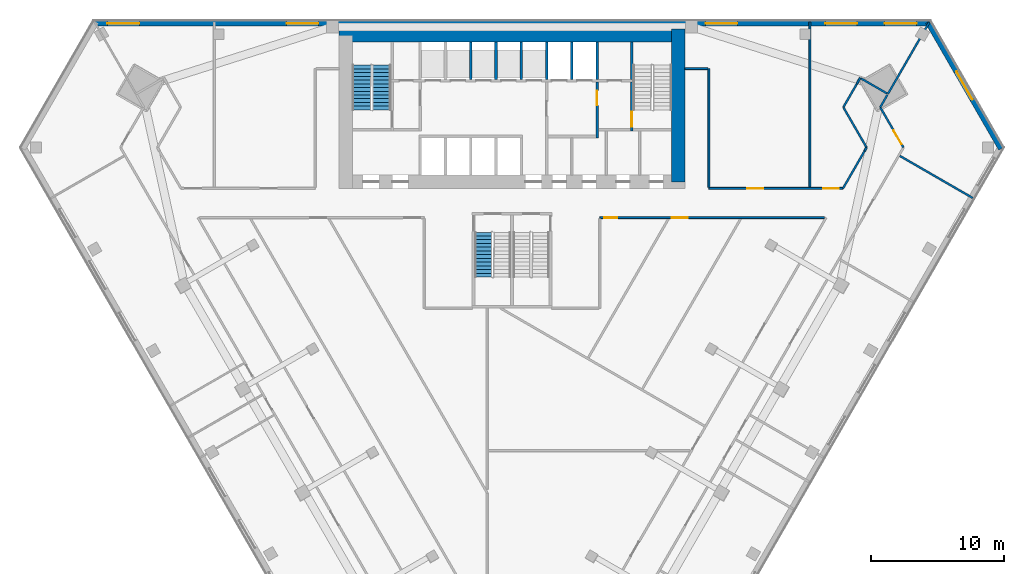
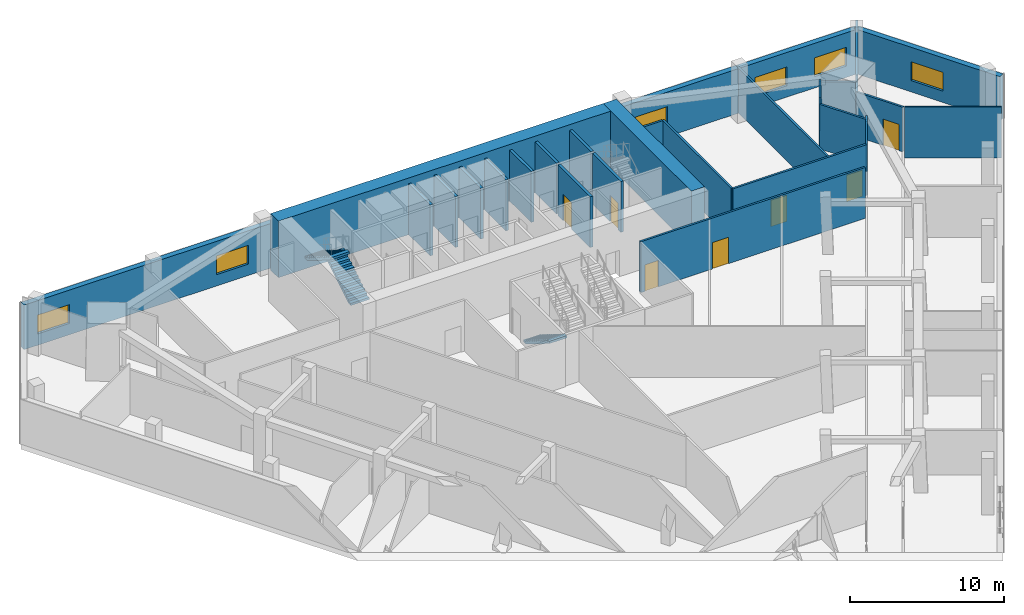
# One storey, part 6 of 9: 28 walls, 7 doors, 6 windows, 3 stair flights, 13 openings, 2 elements without a shape of their own.
"""IFC4 building model written with IfcOpenShell, lengths in metres."""

import ifcopenshell
import ifcopenshell.guid

model = None  # the IFC model being written
_history = None  # IfcOwnerHistory: only IFC2X3 demands one
_inside = {}  # id of a spatial element -> (the spatial element, [elements in it])
_under = {}  # id of a project, library or spatial element -> (it, [spatial elements below it])
_declared = {}  # id of a project -> (the project, [libraries it declares])
_typed = {}  # id of a type object -> (the type object, [elements of that type])
_made_of = {}  # id of a material, layer set ... -> (it, [elements and type objects made of it])


def new_model(schema):
    """Start an empty IFC model of exactly this schema.

    Asked for "IFC4X3", IfcOpenShell would pick the latest addendum, in which some entities
    have other attributes; the version numbers below select the first issue.
    IFC2X3 requires an IfcOwnerHistory on every rooted entity: one is made here for all.
    """
    global model, _history
    if schema == "IFC4X3":
        model = ifcopenshell.file(schema_version=(4, 3, 0, 0))
    else:
        model = ifcopenshell.file(schema=schema)
    _inside.clear()
    _under.clear()
    _declared.clear()
    _typed.clear()
    _made_of.clear()
    _history = None
    if model.schema == "IFC2X3":
        org = make("IfcOrganization", Name="unknown")
        user = make(
            "IfcPersonAndOrganization",
            ThePerson=make("IfcPerson", FamilyName="unknown"),
            TheOrganization=org,
        )
        app = make(
            "IfcApplication",
            ApplicationDeveloper=org,
            Version="unknown",
            ApplicationFullName="unknown",
            ApplicationIdentifier="unknown",
        )
        _history = make(
            "IfcOwnerHistory",
            OwningUser=user,
            OwningApplication=app,
            ChangeAction="ADDED",
            CreationDate=0,
        )
    return model


def make(cls, **values):
    """One entity of the class cls with the attributes given. An attribute that is None is left unset."""
    return model.create_entity(
        cls, **{name: value for name, value in values.items() if value is not None}
    )


def rooted(cls, **values):
    """An entity with a GlobalId (a new one), such as an element, a storey or a relation."""
    return make(cls, GlobalId=ifcopenshell.guid.new(), OwnerHistory=_history, **values)


def si_unit(unit_type, name, prefix=None):
    """IfcSIUnit, for example si_unit("LENGTHUNIT", "METRE", prefix="MILLI")."""
    return make("IfcSIUnit", UnitType=unit_type, Prefix=prefix, Name=name)


def assignment(units):
    """IfcUnitAssignment: the units of a project."""
    return None if units is None else make("IfcUnitAssignment", Units=units)


def point(xyz):
    """IfcCartesianPoint."""
    return None if xyz is None else make("IfcCartesianPoint", Coordinates=xyz)


def direction(xyz):
    """IfcDirection."""
    return None if xyz is None else make("IfcDirection", DirectionRatios=xyz)


def frame(location, z_axis=None, x_axis=None):
    """IfcAxis2Placement3D, a coordinate frame: its origin and axes. An axis left out is left unset."""
    return make(
        "IfcAxis2Placement3D",
        Location=point(location),
        Axis=direction(z_axis),
        RefDirection=direction(x_axis),
    )


def frame_2d(location, x_axis=None):
    """IfcAxis2Placement2D, a coordinate frame in the plane: its origin and x axis."""
    return make(
        "IfcAxis2Placement2D", Location=point(location), RefDirection=direction(x_axis)
    )


def origin():
    """The frame at (0, 0, 0) with its axes left unset."""
    return frame((0.0, 0.0, 0.0))


def place(relative_to, where):
    """IfcLocalPlacement: puts the frame where relative to a parent placement (None: the world)."""
    return make(
        "IfcLocalPlacement", PlacementRelTo=relative_to, RelativePlacement=where
    )


def context(
    kind, dimensions, precision=None, world=None, true_north=None, identifier=None
):
    """IfcGeometricRepresentationContext, for example the 3D "Model" context."""
    return make(
        "IfcGeometricRepresentationContext",
        ContextIdentifier=identifier,
        ContextType=kind,
        CoordinateSpaceDimension=dimensions,
        Precision=precision,
        WorldCoordinateSystem=world,
        TrueNorth=true_north,
    )


def subcontext(parent, identifier, kind, view, scale=None):
    """IfcGeometricRepresentationSubContext, for example "Body" below "Model"."""
    return make(
        "IfcGeometricRepresentationSubContext",
        ContextIdentifier=identifier,
        ContextType=kind,
        ParentContext=parent,
        TargetScale=scale,
        TargetView=view,
    )


def project(units=None, contexts=None):
    """IfcProject with its units and contexts."""
    return rooted(
        "IfcProject",
        Name="project",
        RepresentationContexts=contexts,
        UnitsInContext=assignment(units),
    )


def spatial(cls, under=None, at=None, **own):
    """A site, building, storey or space (cls), placed at a placement, below another one or the project."""
    s = rooted(cls, ObjectPlacement=at, **own)
    if under is not None:
        _under.setdefault(under.id(), (under, []))[1].append(s)
    return s


def polyline(points):
    """IfcPolyline through the points."""
    return make("IfcPolyline", Points=[point(p) for p in points])


def profile(cls, at=None, kind="AREA", **sizes):
    """A parametric profile (cls). Its sizes go by their IFC names, for example OverallWidth=200.0."""
    return make(cls, ProfileType=kind, Position=at, **sizes)


def rectangle(**sizes):
    """IfcRectangleProfileDef."""
    return profile("IfcRectangleProfileDef", **sizes)


def outline(outer, holes=None, kind="AREA"):
    """IfcArbitraryClosedProfileDef: a profile drawn as a closed curve; with holes, ...WithVoids."""
    if holes is None:
        return make("IfcArbitraryClosedProfileDef", ProfileType=kind, OuterCurve=outer)
    return make(
        "IfcArbitraryProfileDefWithVoids",
        ProfileType=kind,
        OuterCurve=outer,
        InnerCurves=holes,
    )


def extrude(swept, where, along, depth):
    """IfcExtrudedAreaSolid: the profile swept, set in the frame where, extruded along a direction by depth."""
    return make(
        "IfcExtrudedAreaSolid",
        SweptArea=swept,
        Position=where,
        ExtrudedDirection=direction(along),
        Depth=depth,
    )


def shape(context_of_items, identifier, shape_type, items):
    """IfcShapeRepresentation: the items that make up one representation, for example the "Body"."""
    return make(
        "IfcShapeRepresentation",
        ContextOfItems=context_of_items,
        RepresentationIdentifier=identifier,
        RepresentationType=shape_type,
        Items=items,
    )


def material(Name=None, Category=None):
    """IfcMaterial."""
    return make("IfcMaterial", Name=Name, Category=Category)


def layer(
    of_material, thickness, ventilated=None, Name=None, Category=None, Priority=None
):
    """IfcMaterialLayer: one layer of a wall or slab, of a material (None: an air gap)."""
    return make(
        "IfcMaterialLayer",
        Material=of_material,
        LayerThickness=thickness,
        IsVentilated=ventilated,
        Name=Name,
        Category=Category,
        Priority=Priority,
    )


def layer_set(layers, Name=None):
    """IfcMaterialLayerSet."""
    return make("IfcMaterialLayerSet", MaterialLayers=layers, LayerSetName=Name)


def made_of(thing, what):
    """Note that an element or type object is made of a material, layer set ...; save() writes the relation."""
    if what is not None:
        _made_of.setdefault(what.id(), (what, []))[1].append(thing)
    return thing


def type_object(cls, material=None, **own):
    """A type object (cls), such as IfcWallType, which elements share."""
    return made_of(rooted(cls, **own), material)


def element(
    cls,
    number,
    at=None,
    inside=None,
    cuts=None,
    type_object=None,
    material=None,
    context=None,
    identifier="Body",
    shape_type=None,
    held_by="IfcProductDefinitionShape",
    body=None,
    shapes=None,
    **own,
):
    """One element of the class cls, such as IfcWall. Its Tag is "e" and its number.

    at: its placement. inside: the storey or other place that contains it. cuts: it is an
    opening in that element (IfcRelVoidsElement). A single representation is given by context,
    identifier, shape_type and body (its items); several are given by shapes. held_by: the class
    of the entity that holds the representations. save() writes the other relations.
    """
    e = rooted(cls, Tag="e%d" % number, ObjectPlacement=at, **own)
    if body is not None:
        shapes = [shape(context, identifier, shape_type, body)]
    if shapes is not None:
        e.Representation = make(held_by, Representations=shapes)
    if inside is not None:
        _inside.setdefault(inside.id(), (inside, []))[1].append(e)
    if cuts is not None:
        rooted(
            "IfcRelVoidsElement", RelatingBuildingElement=cuts, RelatedOpeningElement=e
        )
    if type_object is not None:
        _typed.setdefault(type_object.id(), (type_object, []))[1].append(e)
    return made_of(e, material)


def fill(opening, filler):
    """IfcRelFillsElement: the door or window that sits in an opening."""
    return rooted(
        "IfcRelFillsElement",
        RelatingOpeningElement=opening,
        RelatedBuildingElement=filler,
    )


def aggregate(whole, parts):
    """IfcRelAggregates: a whole, such as a stair, and the parts it consists of."""
    return rooted("IfcRelAggregates", RelatingObject=whole, RelatedObjects=parts)


def save(model, path):
    """Write the relations noted so far, then the file.

    IfcRelAggregates (storeys below a building ...), IfcRelContainedInSpatialStructure (elements
    in a storey), IfcRelDefinesByType, IfcRelAssociatesMaterial and IfcRelDeclares: one each for
    every whole, place, type object, material and project.
    """
    for whole, parts in _under.values():
        aggregate(whole, parts)
    for where, things in _inside.values():
        rooted(
            "IfcRelContainedInSpatialStructure",
            RelatedElements=things,
            RelatingStructure=where,
        )
    for kind, things in _typed.values():
        rooted("IfcRelDefinesByType", RelatedObjects=things, RelatingType=kind)
    for what, things in _made_of.values():
        rooted("IfcRelAssociatesMaterial", RelatedObjects=things, RelatingMaterial=what)
    for by, libraries in _declared.values():
        rooted("IfcRelDeclares", RelatingContext=by, RelatedDefinitions=libraries)
    model.write(path)


model = new_model("IFC4")

# Units and contexts
model_context = context("Model", 3, precision=1e-05, world=origin(), true_north=direction((0.0, 1.0)))
body_context = subcontext(model_context, "Body", "Model", "MODEL_VIEW")
ifc_project = project(units=[si_unit("LENGTHUNIT", "METRE"), si_unit("AREAUNIT", "SQUARE_METRE"), si_unit("VOLUMEUNIT", "CUBIC_METRE"), si_unit("PLANEANGLEUNIT", "RADIAN"), si_unit("MASSUNIT", "GRAM", prefix="KILO")], contexts=[model_context])

# Site, building, storey
site_placement = place(None, origin())
site = spatial("IfcSite", under=ifc_project, at=site_placement, CompositionType="ELEMENT")
building_placement = place(site_placement, origin())
building = spatial("IfcBuilding", under=site, at=building_placement, Name="Altiplano Prism Tower", CompositionType="ELEMENT")
storey_placement = place(building_placement, frame((0.0, 0.0, 18.0)))
storey = spatial("IfcBuildingStorey", under=building, at=storey_placement, Name="L03", CompositionType="ELEMENT", Elevation=18.0)

# Walls
ifc_material_1 = material(Name="Concrete C70/85", Category="concrete")
ifc_layer_1 = layer(ifc_material_1, 1.0)
ifc_layer_set_1 = layer_set([ifc_layer_1], Name="Concrete C70/85")
wall_type_1 = type_object("IfcWallType", Name="Core wall 1000", PredefinedType="SHEAR", material=ifc_layer_set_1)
wall_1_placement = place(storey_placement, frame((97.5, 92.89990234375, 0.0), z_axis=(0.0, 0.0, 1.0), x_axis=(0.0, 1.0, 0.0)))
element("IfcWall", 1, at=wall_1_placement, inside=storey, type_object=wall_type_1, Name="Core wall E L03", PredefinedType="SHEAR", context=body_context, shape_type="SweptSolid", body=[
    extrude(rectangle(XDim=11.5, YDim=1.0, at=frame_2d((5.75, 0.0))), origin(), (0.0, 0.0, 1.0), 4.5),
])
wall_2_placement = place(storey_placement, frame((97.5, 103.89990234375, 0.0), z_axis=(0.0, 0.0, 1.0), x_axis=(-1.0, 0.0, 0.0)))
element("IfcWall", 2, at=wall_2_placement, inside=storey, type_object=wall_type_1, Name="Core wall N L03", PredefinedType="SHEAR", context=body_context, shape_type="SweptSolid", body=[
    extrude(rectangle(XDim=25.5, YDim=1.0, at=frame_2d((12.75, 0.0))), origin(), (0.0, 0.0, 1.0), 4.5),
])

# Wall, opening, door
ifc_material_2 = material(Name="Plasterboard on steel stud", Category="steel")
ifc_layer_2 = layer(ifc_material_2, 0.14990234375)
ifc_layer_set_2 = layer_set([ifc_layer_2], Name="Plasterboard on steel stud")
wall_type_2 = type_object("IfcWallType", Name="Partition 150 corridor", PredefinedType="PARTITIONING", material=ifc_layer_set_2)
wall_3_placement = place(storey_placement, frame((114.4296875, 95.4736328125, 0.0), z_axis=(0.0, 0.0, 1.0), x_axis=(-0.500008701212, 0.866020380079, 0.0)))
wall_3 = element("IfcWall", 3, at=wall_3_placement, inside=storey, type_object=wall_type_2, Name="Partition P06 L03 006", PredefinedType="PARTITIONING", context=body_context, shape_type="SweptSolid", body=[
    extrude(rectangle(XDim=3.49462890625, YDim=0.14990234375, at=frame_2d((1.747314453125, 0.0))), origin(), (0.0, 0.0, 1.0), 3.550048828125),
])
opening_1_placement = place(wall_3_placement, frame((0.284912109375, 0.0, 0.0)))
opening_1 = element("IfcOpeningElement", 4, at=opening_1_placement, cuts=wall_3, Name="Opening D0097", PredefinedType="OPENING", context=body_context, shape_type="SweptSolid", body=[
    extrude(rectangle(XDim=1.199951171875, YDim=2.10009765625, at=frame_2d((0.60009765625, 1.050048828125))), frame((0.0, 0.08544921875, 0.0), z_axis=(0.0, -1.0, 0.0), x_axis=(1.0, 0.0, 0.0)), (0.0, 0.0, 1.0), 0.1708984375),
])
ifc_material_3 = material(Name="Timber", Category="wood")
door_type_1 = type_object("IfcDoorType", Name="Shared room door 1200 x 2100", OperationType="NOTDEFINED", PredefinedType="NOTDEFINED", material=ifc_material_3)
door_1_placement = place(opening_1_placement, origin())
door_1 = element("IfcDoor", 5, at=door_1_placement, inside=storey, type_object=door_type_1, Name="Door D0097", OperationType="SINGLE_SWING_LEFT", OverallHeight=2.10009765625, OverallWidth=1.199951171875, PredefinedType="NOTDEFINED", context=body_context, shape_type="SweptSolid", body=[
    extrude(rectangle(XDim=1.199951171875, YDim=2.10009765625, at=frame_2d((0.60009765625, 1.050048828125))), frame((0.0, 0.02490234375, 0.0), z_axis=(0.0, -1.0, 0.0), x_axis=(1.0, 0.0, 0.0)), (0.0, 0.0, 1.0), 0.050048828125),
])
fill(opening_1, door_1)

# Wall
wall_4_placement = place(storey_placement, frame((112.682373046875, 98.5, 0.0), z_axis=(0.0, 0.0, 1.0), x_axis=(0.500172206961, 0.865925957218, 0.0)))
element("IfcWall", 6, at=wall_4_placement, inside=storey, type_object=wall_type_2, Name="Partition P06 L03 007", PredefinedType="PARTITIONING", context=body_context, shape_type="SweptSolid", body=[
    extrude(rectangle(XDim=1.08056640625, YDim=0.14990234375, at=frame_2d((0.540283203125, 0.0))), origin(), (0.0, 0.0, 1.0), 3.550048828125),
])

# Wall, openings, doors
wall_5_placement = place(storey_placement, frame((109.88330078125, 92.40087890625, 0.0), z_axis=(0.0, 0.0, 1.0), x_axis=(-1.0, 0.0, 0.0)))
wall_5 = element("IfcWall", 7, at=wall_5_placement, inside=storey, type_object=wall_type_2, Name="Partition P06 L03 010", PredefinedType="PARTITIONING", context=body_context, shape_type="SweptSolid", body=[
    extrude(rectangle(XDim=10.082275390625, YDim=0.14990234375, at=frame_2d((5.041015625, 0.0))), origin(), (0.0, 0.0, 1.0), 4.050048828125),
])
opening_2_placement = place(wall_5_placement, frame((5.987060546875, 0.0, 0.0)))
opening_2 = element("IfcOpeningElement", 8, at=opening_2_placement, cuts=wall_5, Name="Opening D0102", PredefinedType="OPENING", context=body_context, shape_type="SweptSolid", body=[
    extrude(rectangle(XDim=1.199951171875, YDim=2.10009765625, at=frame_2d((0.60009765625, 1.050048828125))), frame((0.0, 0.08544921875, 0.0), z_axis=(0.0, -1.0, 0.0), x_axis=(1.0, 0.0, 0.0)), (0.0, 0.0, 1.0), 0.1708984375),
])
opening_3_placement = place(wall_5_placement, frame((0.302978515625, 0.0, 0.0)))
opening_3 = element("IfcOpeningElement", 9, at=opening_3_placement, cuts=wall_5, Name="Opening D0108", PredefinedType="OPENING", context=body_context, shape_type="SweptSolid", body=[
    extrude(rectangle(XDim=1.199951171875, YDim=2.10009765625, at=frame_2d((0.60009765625, 1.050048828125))), frame((0.0, 0.08544921875, 0.0), z_axis=(0.0, -1.0, 0.0), x_axis=(1.0, 0.0, 0.0)), (0.0, 0.0, 1.0), 0.1708984375),
])
door_2_placement = place(opening_2_placement, origin())
door_2 = element("IfcDoor", 10, at=door_2_placement, inside=storey, type_object=door_type_1, Name="Door D0102", OperationType="SINGLE_SWING_RIGHT", OverallHeight=2.10009765625, OverallWidth=1.199951171875, PredefinedType="NOTDEFINED", context=body_context, shape_type="SweptSolid", body=[
    extrude(rectangle(XDim=1.199951171875, YDim=2.10009765625, at=frame_2d((0.60009765625, 1.050048828125))), frame((0.0, 0.02490234375, 0.0), z_axis=(0.0, -1.0, 0.0), x_axis=(1.0, 0.0, 0.0)), (0.0, 0.0, 1.0), 0.050048828125),
])
fill(opening_2, door_2)
door_3_placement = place(opening_3_placement, origin())
door_3 = element("IfcDoor", 11, at=door_3_placement, inside=storey, type_object=door_type_1, Name="Door D0108", OperationType="SINGLE_SWING_RIGHT", OverallHeight=2.10009765625, OverallWidth=1.199951171875, PredefinedType="NOTDEFINED", context=body_context, shape_type="SweptSolid", body=[
    extrude(rectangle(XDim=1.199951171875, YDim=2.10009765625, at=frame_2d((0.60009765625, 1.050048828125))), frame((0.0, 0.02490234375, 0.0), z_axis=(0.0, -1.0, 0.0), x_axis=(1.0, 0.0, 0.0)), (0.0, 0.0, 1.0), 0.050048828125),
])
fill(opening_3, door_3)

# Walls
wall_6_placement = place(storey_placement, frame((99.801025390625, 92.47607421875, 0.0), z_axis=(0.0, 0.0, 1.0), x_axis=(0.0, 1.0, 0.0)))
element("IfcWall", 12, at=wall_6_placement, inside=storey, type_object=wall_type_2, Name="Partition P06 L03 011", PredefinedType="PARTITIONING", context=body_context, shape_type="SweptSolid", body=[
    extrude(rectangle(XDim=8.924072265625, YDim=0.14990234375, at=frame_2d((4.4619140625, 0.0))), origin(), (0.0, 0.0, 1.0), 4.050048828125),
])
wall_7_placement = place(storey_placement, frame((99.72607421875, 101.400146484375, 0.0), z_axis=(0.0, 0.0, 1.0), x_axis=(-0.999999909973, 0.000424328109, 0.0)))
element("IfcWall", 13, at=wall_7_placement, inside=storey, type_object=wall_type_2, Name="Partition P06 L03 012", PredefinedType="PARTITIONING", context=body_context, shape_type="SweptSolid", body=[
    extrude(rectangle(XDim=1.72607421875, YDim=0.14990234375, at=frame_2d((0.863037109375, 0.0))), origin(), (0.0, 0.0, 1.0), 4.050048828125),
])

# Wall, openings, doors
wall_8_placement = place(storey_placement, frame((91.60107421875, 90.198974609375, 0.0), z_axis=(0.0, 0.0, 1.0), x_axis=(1.0, 0.0, 0.0)))
wall_8 = element("IfcWall", 14, at=wall_8_placement, inside=storey, type_object=wall_type_2, Name="Partition P06 L03 019", PredefinedType="PARTITIONING", context=body_context, shape_type="SweptSolid", body=[
    extrude(rectangle(XDim=16.880859375, YDim=0.14990234375, at=frame_2d((8.4404296875, 0.0))), origin(), (0.0, 0.0, 1.0), 4.050048828125),
])
opening_4_placement = place(wall_8_placement, frame((5.407958984375, 0.0, 0.0)))
opening_4 = element("IfcOpeningElement", 15, at=opening_4_placement, cuts=wall_8, Name="Opening D0106", PredefinedType="OPENING", context=body_context, shape_type="SweptSolid", body=[
    extrude(rectangle(XDim=1.199951171875, YDim=2.10009765625, at=frame_2d((0.60009765625, 1.050048828125))), frame((0.0, 0.08544921875, 0.0), z_axis=(0.0, -1.0, 0.0), x_axis=(1.0, 0.0, 0.0)), (0.0, 0.0, 1.0), 0.1708984375),
])
opening_5_placement = place(wall_8_placement, frame((0.324951171875, 0.0, 0.0)))
opening_5 = element("IfcOpeningElement", 16, at=opening_5_placement, cuts=wall_8, Name="Opening D0109", PredefinedType="OPENING", context=body_context, shape_type="SweptSolid", body=[
    extrude(rectangle(XDim=1.0, YDim=2.10009765625, at=frame_2d((0.5, 1.050048828125))), frame((0.0, 0.08544921875, 0.0), z_axis=(0.0, -1.0, 0.0), x_axis=(1.0, 0.0, 0.0)), (0.0, 0.0, 1.0), 0.1708984375),
])
door_type_2 = type_object("IfcDoorType", Name="Room door 1000 x 2100", OperationType="NOTDEFINED", PredefinedType="NOTDEFINED", material=ifc_material_3)
door_4_placement = place(opening_5_placement, origin())
door_4 = element("IfcDoor", 17, at=door_4_placement, inside=storey, type_object=door_type_2, Name="Door D0109", OperationType="SINGLE_SWING_LEFT", OverallHeight=2.10009765625, OverallWidth=1.0, PredefinedType="NOTDEFINED", context=body_context, shape_type="SweptSolid", body=[
    extrude(rectangle(XDim=1.0, YDim=2.10009765625, at=frame_2d((0.5, 1.050048828125))), frame((0.0, 0.02490234375, 0.0), z_axis=(0.0, -1.0, 0.0), x_axis=(1.0, 0.0, 0.0)), (0.0, 0.0, 1.0), 0.050048828125),
])
fill(opening_5, door_4)
door_5_placement = place(opening_4_placement, origin())
door_5 = element("IfcDoor", 18, at=door_5_placement, inside=storey, type_object=door_type_1, Name="Door D0106", OperationType="SINGLE_SWING_LEFT", OverallHeight=2.10009765625, OverallWidth=1.199951171875, PredefinedType="NOTDEFINED", context=body_context, shape_type="SweptSolid", body=[
    extrude(rectangle(XDim=1.199951171875, YDim=2.10009765625, at=frame_2d((0.60009765625, 1.050048828125))), frame((0.0, 0.02490234375, 0.0), z_axis=(0.0, -1.0, 0.0), x_axis=(1.0, 0.0, 0.0)), (0.0, 0.0, 1.0), 0.050048828125),
])
fill(opening_4, door_5)

# Walls
wall_9_placement = place(storey_placement, frame((113.1953125, 99.538330078125, 0.0), z_axis=(0.0, 0.0, 1.0), x_axis=(-0.866200031611, 0.499697413678, 0.0)))
element("IfcWall", 19, at=wall_9_placement, inside=storey, type_object=wall_type_2, Name="Partition P06 L03 027", PredefinedType="PARTITIONING", context=body_context, shape_type="SweptSolid", body=[
    extrude(rectangle(XDim=2.2509765625, YDim=0.14990234375, at=frame_2d((1.12548828125, 0.0))), origin(), (0.0, 0.0, 1.0), 3.550048828125),
])
wall_10_placement = place(storey_placement, frame((111.1806640625, 100.70068359375, 0.0), z_axis=(0.0, 0.0, 1.0), x_axis=(-0.499972622635, -0.866041209536, 0.0)))
element("IfcWall", 20, at=wall_10_placement, inside=storey, type_object=wall_type_2, Name="Partition P06 L03 028", PredefinedType="PARTITIONING", context=body_context, shape_type="SweptSolid", body=[
    extrude(rectangle(XDim=0.5068359375, YDim=0.14990234375, at=frame_2d((0.25341796875, 0.0))), origin(), (0.0, 0.0, 1.0), 3.550048828125),
])
wall_11_placement = place(storey_placement, frame((110.92724609375, 100.26171875, 0.0), z_axis=(0.0, 0.0, 1.0), x_axis=(-0.499985639223, -0.866033694824, 0.0)))
element("IfcWall", 21, at=wall_11_placement, inside=storey, type_object=wall_type_2, Name="Partition P06 L03 029", PredefinedType="PARTITIONING", context=body_context, shape_type="SweptSolid", body=[
    extrude(rectangle(XDim=2.0341796875, YDim=0.14990234375, at=frame_2d((1.01708984375, 0.0))), origin(), (0.0, 0.0, 1.0), 4.050048828125),
])
wall_12_placement = place(storey_placement, frame((109.91015625, 98.5, 0.0), z_axis=(0.0, 0.0, 1.0), x_axis=(0.499956301907, -0.86605063142, 0.0)))
element("IfcWall", 22, at=wall_12_placement, inside=storey, type_object=wall_type_2, Name="Partition P06 L03 030", PredefinedType="PARTITIONING", context=body_context, shape_type="SweptSolid", body=[
    extrude(rectangle(XDim=3.494384765625, YDim=0.14990234375, at=frame_2d((1.7470703125, 0.0))), origin(), (0.0, 0.0, 1.0), 3.550048828125),
])
wall_13_placement = place(storey_placement, frame((111.6572265625, 95.4736328125, 0.0), z_axis=(0.0, 0.0, 1.0), x_axis=(-0.500016430238, -0.866015917575, 0.0)))
element("IfcWall", 23, at=wall_13_placement, inside=storey, type_object=wall_type_2, Name="Partition P06 L03 031", PredefinedType="PARTITIONING", context=body_context, shape_type="SweptSolid", body=[
    extrude(rectangle(XDim=0.3115234375, YDim=0.14990234375, at=frame_2d((0.15576171875, 0.0))), origin(), (0.0, 0.0, 1.0), 3.550048828125),
])
wall_14_placement = place(storey_placement, frame((111.50146484375, 95.203857421875, 0.0), z_axis=(0.0, 0.0, 1.0), x_axis=(-0.499968406128, -0.866043643747, 0.0)))
element("IfcWall", 24, at=wall_14_placement, inside=storey, type_object=wall_type_2, Name="Partition P06 L03 032", PredefinedType="PARTITIONING", context=body_context, shape_type="SweptSolid", body=[
    extrude(rectangle(XDim=3.236572265625, YDim=0.14990234375, at=frame_2d((1.6181640625, 0.0))), origin(), (0.0, 0.0, 1.0), 4.050048828125),
])
ifc_layer_3 = layer(ifc_material_2, 0.14990234375)
ifc_layer_set_3 = layer_set([ifc_layer_3], Name="Plasterboard on steel stud")
wall_type_3 = type_object("IfcWallType", Name="Partition 150 party", PredefinedType="PARTITIONING", material=ifc_layer_set_3)
wall_15_placement = place(storey_placement, frame((119.631103515625, 91.6826171875, 0.0), z_axis=(0.0, 0.0, 1.0), x_axis=(-0.866025537322, 0.499999768706, 0.0)))
element("IfcWall", 25, at=wall_15_placement, inside=storey, type_object=wall_type_3, Name="Partition P01 L03 058", PredefinedType="PARTITIONING", context=body_context, shape_type="SweptSolid", body=[
    extrude(rectangle(XDim=6.3251953125, YDim=0.14990234375, at=frame_2d((3.16259765625, 0.0))), origin(), (0.0, 0.0, 1.0), 4.050048828125),
])
wall_16_placement = place(storey_placement, frame((116.37744140625, 104.89990234375, 0.0), z_axis=(0.0, 0.0, 1.0), x_axis=(-0.500013984911, -0.866017329442, 0.0)))
element("IfcWall", 26, at=wall_16_placement, inside=storey, type_object=wall_type_3, Name="Partition P01 L03 059", PredefinedType="PARTITIONING", context=body_context, shape_type="SweptSolid", body=[
    extrude(rectangle(XDim=6.234130859375, YDim=0.14990234375, at=frame_2d((3.1171875, 0.0))), origin(), (0.0, 0.0, 1.0), 4.050048828125),
])
wall_17_placement = place(storey_placement, frame((107.38818359375, 92.47607421875, 0.0), z_axis=(0.0, 0.0, 1.0), x_axis=(0.0, 1.0, 0.0)))
element("IfcWall", 27, at=wall_17_placement, inside=storey, type_object=wall_type_3, Name="Partition P01 L03 066", PredefinedType="PARTITIONING", context=body_context, shape_type="SweptSolid", body=[
    extrude(rectangle(XDim=12.423828125, YDim=0.14990234375, at=frame_2d((6.2119140625, 0.0))), origin(), (0.0, 0.0, 1.0), 3.550048828125),
])
ifc_material_4 = material(Name="Concrete C60/75", Category="concrete")
ifc_layer_4 = layer(ifc_material_4, 0.199951171875)
ifc_layer_set_4 = layer_set([ifc_layer_4], Name="Concrete C60/75")
wall_type_4 = type_object("IfcWallType", Name="Shaft wall 200", PredefinedType="SOLIDWALL", material=ifc_layer_set_4)
for number, where, z_axis, x_axis, name in (
    (28, (81.89990234375, 100.60009765625, 0.0), (0.0, 0.0, 1.0), (0.0, 1.0, 0.0), "Shaft wall L03"),
    (29, (83.800048828125, 100.60009765625, 0.0), (0.0, 0.0, 1.0), (0.0, 1.0, 0.0), "Shaft wall L03"),
    (30, (85.699951171875, 100.60009765625, 0.0), (0.0, 0.0, 1.0), (0.0, 1.0, 0.0), "Shaft wall L03"),
    (31, (87.60009765625, 100.60009765625, 0.0), (0.0, 0.0, 1.0), (0.0, 1.0, 0.0), "Shaft wall L03"),
    (32, (89.5, 100.60009765625, 0.0), (0.0, 0.0, 1.0), (0.0, 1.0, 0.0), "Shaft wall L03"),
    (33, (91.39990234375, 100.60009765625, 0.0), (0.0, 0.0, 1.0), (0.0, 1.0, 0.0), "Shaft wall L03"),
):
    element("IfcWall", number, at=place(storey_placement, frame(where, z_axis=z_axis, x_axis=x_axis)), inside=storey, type_object=wall_type_4, Name=name, PredefinedType="SOLIDWALL", context=body_context, shape_type="SweptSolid", body=[
        extrude(rectangle(XDim=2.7998046875, YDim=0.199951171875, at=frame_2d((1.39990234375, 0.0))), origin(), (0.0, 0.0, 1.0), 4.050048828125),
    ])

# Wall, opening, door
ifc_layer_5 = layer(ifc_material_4, 0.199951171875)
ifc_layer_set_5 = layer_set([ifc_layer_5], Name="Concrete C60/75")
wall_type_5 = type_object("IfcWallType", Name="Stair wall 200", PredefinedType="SOLIDWALL", material=ifc_layer_set_5)
wall_18_placement = place(storey_placement, frame((94.0, 96.699951171875, 0.0), z_axis=(0.0, 0.0, 1.0), x_axis=(0.0, 1.0, 0.0)))
wall_18 = element("IfcWall", 34, at=wall_18_placement, inside=storey, type_object=wall_type_5, Name="Stair wall L03", PredefinedType="SOLIDWALL", context=body_context, shape_type="SweptSolid", body=[
    extrude(rectangle(XDim=3.699951171875, YDim=0.199951171875, at=frame_2d((1.85009765625, 0.0))), origin(), (0.0, 0.0, 1.0), 4.050048828125),
])
opening_6_placement = place(wall_18_placement, frame((0.35009765625, 0.0, 0.0)))
opening_6 = element("IfcOpeningElement", 35, at=opening_6_placement, cuts=wall_18, Name="Opening D2627", PredefinedType="OPENING", context=body_context, shape_type="SweptSolid", body=[
    extrude(rectangle(XDim=1.10009765625, YDim=2.10009765625, at=frame_2d((0.550048828125, 1.050048828125))), frame((0.0, 0.1103515625, 0.0), z_axis=(0.0, -1.0, 0.0), x_axis=(1.0, 0.0, 0.0)), (0.0, 0.0, 1.0), 0.220947265625),
])
ifc_material_5 = material(Name="Fire-rated steel door", Category="steel")
door_type_3 = type_object("IfcDoorType", Name="Stair fire door 1100 x 2100", OperationType="NOTDEFINED", PredefinedType="NOTDEFINED", material=ifc_material_5)
door_6_placement = place(opening_6_placement, origin())
door_6 = element("IfcDoor", 36, at=door_6_placement, inside=storey, type_object=door_type_3, Name="Stair fire door D2627", OperationType="SINGLE_SWING_LEFT", OverallHeight=2.10009765625, OverallWidth=1.10009765625, PredefinedType="NOTDEFINED", context=body_context, shape_type="SweptSolid", body=[
    extrude(rectangle(XDim=1.10009765625, YDim=2.10009765625, at=frame_2d((0.550048828125, 1.050048828125))), frame((0.0, 0.02490234375, 0.0), z_axis=(0.0, -1.0, 0.0), x_axis=(1.0, 0.0, 0.0)), (0.0, 0.0, 1.0), 0.050048828125),
])
fill(opening_6, door_6)

# Wall
wall_19_placement = place(storey_placement, frame((94.0, 100.60009765625, 0.0), z_axis=(0.0, 0.0, 1.0), x_axis=(0.0, 1.0, 0.0)))
element("IfcWall", 37, at=wall_19_placement, inside=storey, type_object=wall_type_5, Name="Stair wall L03", PredefinedType="SOLIDWALL", context=body_context, shape_type="SweptSolid", body=[
    extrude(rectangle(XDim=2.7998046875, YDim=0.199951171875, at=frame_2d((1.39990234375, 0.0))), origin(), (0.0, 0.0, 1.0), 4.050048828125),
])

# Wall, openings, windows
ifc_material_6 = material(Name="Concrete C40", Category="concrete")
ifc_layer_6 = layer(ifc_material_6, 0.39990234375)
ifc_layer_set_6 = layer_set([ifc_layer_6], Name="Concrete C40")
wall_type_6 = type_object("IfcWallType", Name="Stone-clad podium wall 400", PredefinedType="SOLIDWALL", material=ifc_layer_set_6)
wall_20_placement = place(storey_placement, frame((53.564697265625, 104.800048828125, 0.0), z_axis=(0.0, 0.0, 1.0), x_axis=(1.0, 0.0, 0.0)))
wall_20 = element("IfcWall", 38, at=wall_20_placement, inside=storey, type_object=wall_type_6, Name="External wall north face L03", PredefinedType="SOLIDWALL", context=body_context, shape_type="SweptSolid", body=[
    extrude(rectangle(XDim=62.87060546875, YDim=0.39990234375, at=frame_2d((31.435302734375, 0.0))), origin(), (0.0, 0.0, 1.0), 3.550048828125),
])
opening_7_placement = place(wall_20_placement, frame((59.452392578125, 0.0, 0.89990234375)))
opening_7 = element("IfcOpeningElement", 39, at=opening_7_placement, cuts=wall_20, Name="Opening W1", PredefinedType="OPENING", context=body_context, shape_type="SweptSolid", body=[
    extrude(rectangle(XDim=2.39990234375, YDim=1.5, at=frame_2d((1.199951171875, 0.75))), frame((0.0, 0.21044921875, 0.0), z_axis=(0.0, -1.0, 0.0), x_axis=(1.0, 0.0, 0.0)), (0.0, 0.0, 1.0), 0.4208984375),
])
opening_8_placement = place(wall_20_placement, frame((54.985595703125, 0.0, 0.89990234375)))
opening_8 = element("IfcOpeningElement", 40, at=opening_8_placement, cuts=wall_20, Name="Opening W1", PredefinedType="OPENING", context=body_context, shape_type="SweptSolid", body=[
    extrude(rectangle(XDim=2.39990234375, YDim=1.5, at=frame_2d((1.199951171875, 0.75))), frame((0.0, 0.21044921875, 0.0), z_axis=(0.0, -1.0, 0.0), x_axis=(1.0, 0.0, 0.0)), (0.0, 0.0, 1.0), 0.4208984375),
])
opening_9_placement = place(wall_20_placement, frame((45.985595703125, 0.0, 0.89990234375)))
opening_9 = element("IfcOpeningElement", 41, at=opening_9_placement, cuts=wall_20, Name="Opening W1", PredefinedType="OPENING", context=body_context, shape_type="SweptSolid", body=[
    extrude(rectangle(XDim=2.39990234375, YDim=1.5, at=frame_2d((1.199951171875, 0.75))), frame((0.0, 0.21044921875, 0.0), z_axis=(0.0, -1.0, 0.0), x_axis=(1.0, 0.0, 0.0)), (0.0, 0.0, 1.0), 0.4208984375),
])
opening_10_placement = place(wall_20_placement, frame((14.485595703125, 0.0, 0.89990234375)))
opening_10 = element("IfcOpeningElement", 42, at=opening_10_placement, cuts=wall_20, Name="Opening W1", PredefinedType="OPENING", context=body_context, shape_type="SweptSolid", body=[
    extrude(rectangle(XDim=2.39990234375, YDim=1.5, at=frame_2d((1.199951171875, 0.75))), frame((0.0, 0.21044921875, 0.0), z_axis=(0.0, -1.0, 0.0), x_axis=(1.0, 0.0, 0.0)), (0.0, 0.0, 1.0), 0.4208984375),
])
opening_11_placement = place(wall_20_placement, frame((1.017578125, 0.0, 0.89990234375)))
opening_11 = element("IfcOpeningElement", 43, at=opening_11_placement, cuts=wall_20, Name="Opening W1", PredefinedType="OPENING", context=body_context, shape_type="SweptSolid", body=[
    extrude(rectangle(XDim=2.39990234375, YDim=1.5, at=frame_2d((1.199951171875, 0.75))), frame((0.0, 0.21044921875, 0.0), z_axis=(0.0, -1.0, 0.0), x_axis=(1.0, 0.0, 0.0)), (0.0, 0.0, 1.0), 0.4208984375),
])
ifc_material_7 = material(Name="Glass", Category="glass")
window_type = type_object("IfcWindowType", Name="Window 2400 x 1500", PartitioningType="SINGLE_PANEL", PredefinedType="WINDOW", material=ifc_material_7)
window_1_placement = place(opening_7_placement, origin())
window_1 = element("IfcWindow", 44, at=window_1_placement, inside=storey, type_object=window_type, Name="Podium window L03", OverallHeight=1.5, OverallWidth=2.39990234375, PartitioningType="SINGLE_PANEL", PredefinedType="WINDOW", context=body_context, shape_type="SweptSolid", body=[
    extrude(rectangle(XDim=2.39990234375, YDim=1.5, at=frame_2d((1.199951171875, 0.75))), frame((0.0, 0.030029296875, 0.0), z_axis=(0.0, -1.0, 0.0), x_axis=(1.0, 0.0, 0.0)), (0.0, 0.0, 1.0), 0.06005859375),
])
fill(opening_7, window_1)
window_2_placement = place(opening_8_placement, origin())
window_2 = element("IfcWindow", 45, at=window_2_placement, inside=storey, type_object=window_type, Name="Podium window L03", OverallHeight=1.5, OverallWidth=2.39990234375, PartitioningType="SINGLE_PANEL", PredefinedType="WINDOW", context=body_context, shape_type="SweptSolid", body=[
    extrude(rectangle(XDim=2.39990234375, YDim=1.5, at=frame_2d((1.199951171875, 0.75))), frame((0.0, 0.030029296875, 0.0), z_axis=(0.0, -1.0, 0.0), x_axis=(1.0, 0.0, 0.0)), (0.0, 0.0, 1.0), 0.06005859375),
])
fill(opening_8, window_2)
window_3_placement = place(opening_9_placement, origin())
window_3 = element("IfcWindow", 46, at=window_3_placement, inside=storey, type_object=window_type, Name="Podium window L03", OverallHeight=1.5, OverallWidth=2.39990234375, PartitioningType="SINGLE_PANEL", PredefinedType="WINDOW", context=body_context, shape_type="SweptSolid", body=[
    extrude(rectangle(XDim=2.39990234375, YDim=1.5, at=frame_2d((1.199951171875, 0.75))), frame((0.0, 0.030029296875, 0.0), z_axis=(0.0, -1.0, 0.0), x_axis=(1.0, 0.0, 0.0)), (0.0, 0.0, 1.0), 0.06005859375),
])
fill(opening_9, window_3)
window_4_placement = place(opening_10_placement, origin())
window_4 = element("IfcWindow", 47, at=window_4_placement, inside=storey, type_object=window_type, Name="Podium window L03", OverallHeight=1.5, OverallWidth=2.39990234375, PartitioningType="SINGLE_PANEL", PredefinedType="WINDOW", context=body_context, shape_type="SweptSolid", body=[
    extrude(rectangle(XDim=2.39990234375, YDim=1.5, at=frame_2d((1.199951171875, 0.75))), frame((0.0, 0.030029296875, 0.0), z_axis=(0.0, -1.0, 0.0), x_axis=(1.0, 0.0, 0.0)), (0.0, 0.0, 1.0), 0.06005859375),
])
fill(opening_10, window_4)
window_5_placement = place(opening_11_placement, origin())
window_5 = element("IfcWindow", 48, at=window_5_placement, inside=storey, type_object=window_type, Name="Podium window L03", OverallHeight=1.5, OverallWidth=2.39990234375, PartitioningType="SINGLE_PANEL", PredefinedType="WINDOW", context=body_context, shape_type="SweptSolid", body=[
    extrude(rectangle(XDim=2.39990234375, YDim=1.5, at=frame_2d((1.199951171875, 0.75))), frame((0.0, 0.030029296875, 0.0), z_axis=(0.0, -1.0, 0.0), x_axis=(1.0, 0.0, 0.0)), (0.0, 0.0, 1.0), 0.06005859375),
])
fill(opening_11, window_5)

# Wall, opening, window
wall_21_placement = place(storey_placement, frame((116.261962890625, 104.89990234375, 0.0), z_axis=(0.0, 0.0, 1.0), x_axis=(0.50000615651, -0.866021849293, 0.0)))
wall_21 = element("IfcWall", 49, at=wall_21_placement, inside=storey, type_object=wall_type_6, Name="External wall north-east chamfer L03", PredefinedType="SOLIDWALL", context=body_context, shape_type="SweptSolid", body=[
    extrude(rectangle(XDim=10.999755859375, YDim=0.39990234375, at=frame_2d((5.5, 0.0))), origin(), (0.0, 0.0, 1.0), 3.550048828125),
])
opening_12_placement = place(wall_21_placement, frame((4.300048828125, 0.0, 0.89990234375)))
opening_12 = element("IfcOpeningElement", 50, at=opening_12_placement, cuts=wall_21, Name="Opening W1", PredefinedType="OPENING", context=body_context, shape_type="SweptSolid", body=[
    extrude(rectangle(XDim=2.39990234375, YDim=1.5, at=frame_2d((1.199951171875, 0.75))), frame((0.0, 0.21044921875, 0.0), z_axis=(0.0, -1.0, 0.0), x_axis=(1.0, 0.0, 0.0)), (0.0, 0.0, 1.0), 0.4208984375),
])
window_6_placement = place(opening_12_placement, origin())
window_6 = element("IfcWindow", 51, at=window_6_placement, inside=storey, type_object=window_type, Name="Podium window L03", OverallHeight=1.5, OverallWidth=2.39990234375, PartitioningType="SINGLE_PANEL", PredefinedType="WINDOW", context=body_context, shape_type="SweptSolid", body=[
    extrude(rectangle(XDim=2.39990234375, YDim=1.5, at=frame_2d((1.199951171875, 0.75))), frame((0.0, 0.030029296875, 0.0), z_axis=(0.0, -1.0, 0.0), x_axis=(1.0, 0.0, 0.0)), (0.0, 0.0, 1.0), 0.06005859375),
])
fill(opening_12, window_6)

# Wall, opening, door
ifc_layer_7 = layer(ifc_material_4, 0.199951171875)
ifc_layer_set_7 = layer_set([ifc_layer_7], Name="Concrete C60/75")
wall_type_7 = type_object("IfcWallType", Name="Vestibule wall 200", PredefinedType="PARTITIONING", material=ifc_layer_set_7)
wall_22_placement = place(storey_placement, frame((91.39990234375, 96.199951171875, 0.0), z_axis=(0.0, 0.0, 1.0), x_axis=(0.0, 1.0, 0.0)))
wall_22 = element("IfcWall", 52, at=wall_22_placement, inside=storey, type_object=wall_type_7, Name="Vestibule wall L03", PredefinedType="PARTITIONING", context=body_context, shape_type="SweptSolid", body=[
    extrude(rectangle(XDim=4.199951171875, YDim=0.199951171875, at=frame_2d((2.10009765625, 0.0))), origin(), (0.0, 0.0, 1.0), 4.050048828125),
])
opening_13_placement = place(wall_22_placement, frame((2.449951171875, 0.0, 0.0)))
opening_13 = element("IfcOpeningElement", 53, at=opening_13_placement, cuts=wall_22, Name="Opening D2630", PredefinedType="OPENING", context=body_context, shape_type="SweptSolid", body=[
    extrude(rectangle(XDim=1.10009765625, YDim=2.10009765625, at=frame_2d((0.550048828125, 1.050048828125))), frame((0.0, 0.1103515625, 0.0), z_axis=(0.0, -1.0, 0.0), x_axis=(1.0, 0.0, 0.0)), (0.0, 0.0, 1.0), 0.220947265625),
])
door_type_4 = type_object("IfcDoorType", Name="Vestibule fire door 1100 x 2100", OperationType="NOTDEFINED", PredefinedType="NOTDEFINED", material=ifc_material_5)
door_7_placement = place(opening_13_placement, origin())
door_7 = element("IfcDoor", 54, at=door_7_placement, inside=storey, type_object=door_type_4, Name="Vestibule fire door D2630", OperationType="SINGLE_SWING_LEFT", OverallHeight=2.10009765625, OverallWidth=1.10009765625, PredefinedType="NOTDEFINED", context=body_context, shape_type="SweptSolid", body=[
    extrude(rectangle(XDim=1.10009765625, YDim=2.10009765625, at=frame_2d((0.550048828125, 1.050048828125))), frame((0.0, 0.02490234375, 0.0), z_axis=(0.0, -1.0, 0.0), x_axis=(1.0, 0.0, 0.0)), (0.0, 0.0, 1.0), 0.050048828125),
])
fill(opening_13, door_7)

# Stair, stair flights
ifc_material_8 = material(Name="Concrete C40/50", Category="concrete")
stair_type_1 = type_object("IfcStairType", Name="Exit stair 1400", PredefinedType="HALF_TURN_STAIR", material=ifc_material_8)
stair_1_placement = place(storey_placement, origin())
stair_1 = element("IfcStair", 55, at=stair_1_placement, inside=storey, type_object=stair_type_1, Name="L03 Exit Stair 1", PredefinedType="HALF_TURN_STAIR")
stair_flight_type = type_object("IfcStairFlightType", Name="Stair flight concrete 150", PredefinedType="STRAIGHT", material=ifc_material_8)
stair_flight_1_placement = place(storey_placement, frame((75.199951171875, 98.300048828125, 0.0), z_axis=(0.0, 0.0, 1.0), x_axis=(0.0, 1.0, 0.0)))
stair_flight_1 = element("IfcStairFlight", 56, at=stair_flight_1_placement, type_object=stair_flight_type, Name="ST1 flight 1", NumberOfRisers=13, NumberOfTreads=12, PredefinedType="STRAIGHT", RiserHeight=0.173076923, TreadLength=0.28, context=body_context, shape_type="SweptSolid", body=[
    extrude(outline(polyline([(0.0, 0.0), (0.0, 0.173095703125), (0.280029296875, 0.173095703125), (0.280029296875, 0.34619140625), (0.56005859375, 0.34619140625), (0.56005859375, 0.519287109375), (0.840087890625, 0.519287109375), (0.840087890625, 0.6923828125), (1.1201171875, 0.6923828125), (1.1201171875, 0.865478515625), (1.39990234375, 0.865478515625), (1.39990234375, 1.03857421875), (1.679931640625, 1.03857421875), (1.679931640625, 1.21142578125), (1.9599609375, 1.21142578125), (1.9599609375, 1.384521484375), (2.239990234375, 1.384521484375), (2.239990234375, 1.5576171875), (2.52001953125, 1.5576171875), (2.52001953125, 1.730712890625), (2.800048828125, 1.730712890625), (2.800048828125, 1.90380859375), (3.080078125, 1.90380859375), (3.080078125, 2.076904296875), (3.360107421875, 2.076904296875), (3.360107421875, 2.25), (3.360107421875, 1.900634765625), (0.28515625, 0.0), (0.0, 0.0)])), frame((0.0, 0.699951171875, 0.0), z_axis=(0.0, -1.0, 0.0), x_axis=(1.0, 0.0, 0.0)), (0.0, 0.0, 1.0), 1.39990234375),
])
stair_flight_2_placement = place(storey_placement, frame((73.699951171875, 101.659912109375, 2.25), z_axis=(0.0, 0.0, 1.0), x_axis=(0.0, -1.0, 0.0)))
stair_flight_2 = element("IfcStairFlight", 57, at=stair_flight_2_placement, type_object=stair_flight_type, Name="ST1 flight 2", NumberOfRisers=13, NumberOfTreads=12, PredefinedType="STRAIGHT", RiserHeight=0.173076923, TreadLength=0.28, context=body_context, shape_type="SweptSolid", body=[
    extrude(outline(polyline([(0.0, 0.0), (0.0, 0.173095703125), (0.280029296875, 0.173095703125), (0.280029296875, 0.34619140625), (0.56005859375, 0.34619140625), (0.56005859375, 0.519287109375), (0.840087890625, 0.519287109375), (0.840087890625, 0.6923828125), (1.1201171875, 0.6923828125), (1.1201171875, 0.865478515625), (1.39990234375, 0.865478515625), (1.39990234375, 1.03857421875), (1.679931640625, 1.03857421875), (1.679931640625, 1.21142578125), (1.9599609375, 1.21142578125), (1.9599609375, 1.384521484375), (2.239990234375, 1.384521484375), (2.239990234375, 1.5576171875), (2.52001953125, 1.5576171875), (2.52001953125, 1.730712890625), (2.800048828125, 1.730712890625), (2.800048828125, 1.90380859375), (3.080078125, 1.90380859375), (3.080078125, 2.076904296875), (3.360107421875, 2.076904296875), (3.360107421875, 2.25), (3.360107421875, 1.900634765625), (0.28515625, 0.0), (0.0, 0.0)])), frame((0.0, 0.699951171875, 0.0), z_axis=(0.0, -1.0, 0.0), x_axis=(1.0, 0.0, 0.0)), (0.0, 0.0, 1.0), 1.39990234375),
])
aggregate(stair_1, [stair_flight_1, stair_flight_2])

# Stair, stair flight
stair_type_2 = type_object("IfcStairType", Name="Exit stair 1300", PredefinedType="HALF_TURN_STAIR", material=ifc_material_8)
stair_2_placement = place(storey_placement, origin())
stair_2 = element("IfcStair", 58, at=stair_2_placement, inside=storey, type_object=stair_type_2, Name="L03 Exit Stair 3A", PredefinedType="HALF_TURN_STAIR")
stair_flight_3_placement = place(storey_placement, frame((82.85009765625, 89.10009765625, 0.0), z_axis=(0.0, 0.0, 1.0), x_axis=(0.0, -1.0, 0.0)))
stair_flight_3 = element("IfcStairFlight", 59, at=stair_flight_3_placement, type_object=stair_flight_type, Name="ST3A flight 1", NumberOfRisers=13, NumberOfTreads=12, PredefinedType="STRAIGHT", RiserHeight=0.173076923, TreadLength=0.28, context=body_context, shape_type="SweptSolid", body=[
    extrude(outline(polyline([(0.0, 0.0), (0.0, 0.173095703125), (0.280029296875, 0.173095703125), (0.280029296875, 0.34619140625), (0.56005859375, 0.34619140625), (0.56005859375, 0.519287109375), (0.840087890625, 0.519287109375), (0.840087890625, 0.6923828125), (1.1201171875, 0.6923828125), (1.1201171875, 0.865478515625), (1.39990234375, 0.865478515625), (1.39990234375, 1.03857421875), (1.679931640625, 1.03857421875), (1.679931640625, 1.21142578125), (1.9599609375, 1.21142578125), (1.9599609375, 1.384521484375), (2.239990234375, 1.384521484375), (2.239990234375, 1.5576171875), (2.52001953125, 1.5576171875), (2.52001953125, 1.730712890625), (2.800048828125, 1.730712890625), (2.800048828125, 1.90380859375), (3.080078125, 1.90380859375), (3.080078125, 2.076904296875), (3.360107421875, 2.076904296875), (3.360107421875, 2.25), (3.360107421875, 1.900634765625), (0.28515625, 0.0), (0.0, 0.0)])), frame((0.0, 0.64990234375, 0.0), z_axis=(0.0, -1.0, 0.0), x_axis=(1.0, 0.0, 0.0)), (0.0, 0.0, 1.0), 1.300048828125),
])
aggregate(stair_2, [stair_flight_3])

save(model, "model.ifc")
